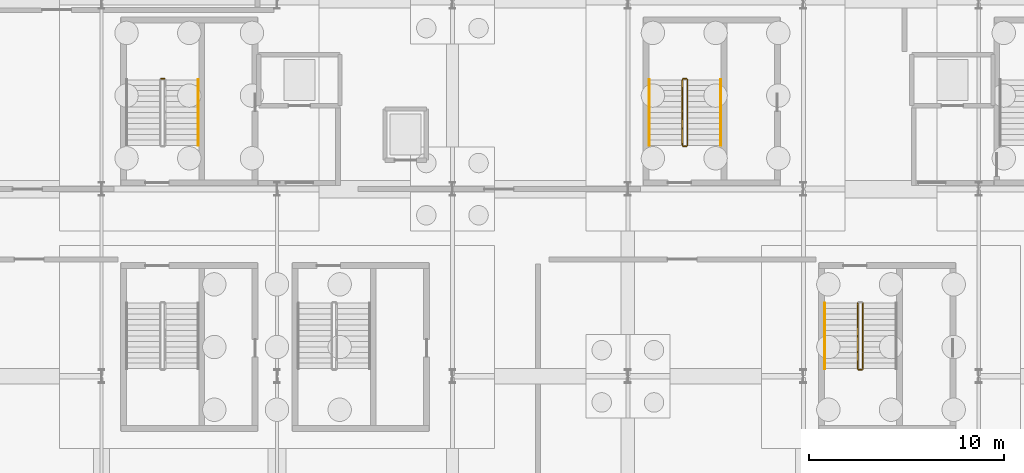
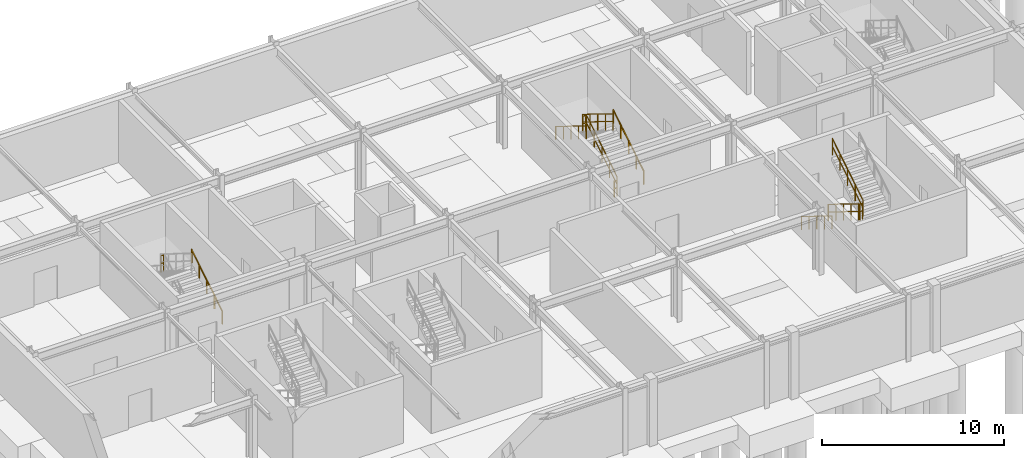
# One storey, part 57 of 59: 12 railings.
"""IFC4 building model written with IfcOpenShell, lengths in metres."""

from ifc_helpers import new_model, si_unit, direction, frame, origin, origin_2d, place, context, subcontext, project, spatial, rectangle, extrude, material, type_object, element, save


model = new_model("IFC4")

# Units and contexts
model_context = context("Model", 3, precision=1e-05, world=origin(), true_north=direction((0.0, 1.0)))
body_context = subcontext(model_context, "Body", "Model", "MODEL_VIEW")
ifc_project = project(units=[si_unit("LENGTHUNIT", "METRE"), si_unit("AREAUNIT", "SQUARE_METRE"), si_unit("VOLUMEUNIT", "CUBIC_METRE"), si_unit("PLANEANGLEUNIT", "RADIAN"), si_unit("MASSUNIT", "GRAM", prefix="KILO")], contexts=[model_context])

# Site, building, storey
site_placement = place(None, origin())
site = spatial("IfcSite", under=ifc_project, at=site_placement, CompositionType="ELEMENT")
building_placement = place(site_placement, origin())
building = spatial("IfcBuilding", under=site, at=building_placement, Name="Myrtia Square Station", CompositionType="ELEMENT")
storey_placement = place(building_placement, frame((0.0, 0.0, -4.5)))
storey = spatial("IfcBuildingStorey", under=building, at=storey_placement, Name="B01", CompositionType="ELEMENT", Elevation=-4.5)

# Railings
ifc_material_1 = material(Name="Dark bronze anodised aluminium", Category="aluminium")
railing_type_1 = type_object("IfcRailingType", Name="RL-HANDRAIL-900", PredefinedType="HANDRAIL", material=ifc_material_1)
for number, where, name in (
    (1, (130.9599609375, 107.85009765625, 0.173095703125), "B01 ST07 stair handrail 1"),
    (2, (157.760009765625, 107.85009765625, 0.173095703125), "B01 ST15 stair handrail 1"),
):
    element("IfcRailing", number, at=place(storey_placement, frame(where)), inside=storey, type_object=railing_type_1, Name=name, PredefinedType="HANDRAIL", context=body_context, shape_type="SweptSolid", body=[
        extrude(rectangle(XDim=0.048095703125, YDim=0.048095703125, at=origin_2d()), frame((0.0, 0.029541015625, 0.89404296875), z_axis=(0.0, 0.850606129759, 0.525803396734), x_axis=(-1.0, 0.0, 0.0)), (0.0, 0.0, 1.0), 0.918212890625),
        extrude(rectangle(XDim=0.048095703125, YDim=0.048095703125, at=origin_2d()), frame((0.0, 0.869384765625, 1.413330078125), z_axis=(0.0, 0.850606129759, 0.525803396734), x_axis=(-1.0, 0.0, 0.0)), (0.0, 0.0, 1.0), 0.918212890625),
        extrude(rectangle(XDim=0.048095703125, YDim=0.048095703125, at=origin_2d()), frame((0.0, 1.70947265625, 1.9326171875), z_axis=(0.0, 0.850606129759, 0.525803396734), x_axis=(-1.0, 0.0, 0.0)), (0.0, 0.0, 1.0), 0.918212890625),
        extrude(rectangle(XDim=0.048095703125, YDim=0.048095703125, at=origin_2d()), frame((0.0, 2.54931640625, 2.45166015625), z_axis=(0.0, 0.850606129759, 0.525803396734), x_axis=(-1.0, 0.0, 0.0)), (0.0, 0.0, 1.0), 0.918212890625),
        extrude(rectangle(XDim=0.0439453125, YDim=0.0439453125, at=origin_2d()), origin(), (0.0, 0.0, 1.0), 0.89990234375),
        extrude(rectangle(XDim=0.0439453125, YDim=0.0439453125, at=origin_2d()), frame((0.0, 0.83984375, 0.519287109375)), (0.0, 0.0, 1.0), 0.89990234375),
        extrude(rectangle(XDim=0.0439453125, YDim=0.0439453125, at=origin_2d()), frame((0.0, 1.679931640625, 1.03857421875)), (0.0, 0.0, 1.0), 0.89990234375),
        extrude(rectangle(XDim=0.0439453125, YDim=0.0439453125, at=origin_2d()), frame((0.0, 2.52001953125, 1.5576171875)), (0.0, 0.0, 1.0), 0.89990234375),
        extrude(rectangle(XDim=0.0439453125, YDim=0.0439453125, at=origin_2d()), frame((0.0, 3.35986328125, 2.076904296875)), (0.0, 0.0, 1.0), 0.89990234375),
    ])
railing_1_placement = place(storey_placement, frame((154.10009765625, 111.2099609375, 2.423095703125)))
element("IfcRailing", 3, at=railing_1_placement, inside=storey, type_object=railing_type_1, Name="B01 ST15 stair handrail 2", PredefinedType="HANDRAIL", context=body_context, shape_type="SweptSolid", body=[
    extrude(rectangle(XDim=0.048095703125, YDim=0.048095703125, at=origin_2d()), frame((0.0, -0.029541015625, 0.89404296875), z_axis=(0.0, -0.850606129759, 0.525803396734), x_axis=(1.0, 0.0, 0.0)), (0.0, 0.0, 1.0), 0.918212890625),
    extrude(rectangle(XDim=0.048095703125, YDim=0.048095703125, at=origin_2d()), frame((0.0, -0.869384765625, 1.413330078125), z_axis=(0.0, -0.850606129759, 0.525803396734), x_axis=(1.0, 0.0, 0.0)), (0.0, 0.0, 1.0), 0.918212890625),
    extrude(rectangle(XDim=0.048095703125, YDim=0.048095703125, at=origin_2d()), frame((0.0, -1.70947265625, 1.9326171875), z_axis=(0.0, -0.850606129759, 0.525803396734), x_axis=(1.0, 0.0, 0.0)), (0.0, 0.0, 1.0), 0.918212890625),
    extrude(rectangle(XDim=0.048095703125, YDim=0.048095703125, at=origin_2d()), frame((0.0, -2.54931640625, 2.45166015625), z_axis=(0.0, -0.850606129759, 0.525803396734), x_axis=(1.0, 0.0, 0.0)), (0.0, 0.0, 1.0), 0.918212890625),
    extrude(rectangle(XDim=0.0439453125, YDim=0.0439453125, at=origin_2d()), origin(), (0.0, 0.0, 1.0), 0.89990234375),
    extrude(rectangle(XDim=0.0439453125, YDim=0.0439453125, at=origin_2d()), frame((0.0, -0.83984375, 0.519287109375)), (0.0, 0.0, 1.0), 0.89990234375),
    extrude(rectangle(XDim=0.0439453125, YDim=0.0439453125, at=origin_2d()), frame((0.0, -1.679931640625, 1.03857421875)), (0.0, 0.0, 1.0), 0.89990234375),
    extrude(rectangle(XDim=0.0439453125, YDim=0.0439453125, at=origin_2d()), frame((0.0, -2.52001953125, 1.5576171875)), (0.0, 0.0, 1.0), 0.89990234375),
    extrude(rectangle(XDim=0.0439453125, YDim=0.0439453125, at=origin_2d()), frame((0.0, -3.35986328125, 2.076904296875)), (0.0, 0.0, 1.0), 0.89990234375),
])
railing_2_placement = place(storey_placement, frame((163.10009765625, 99.75, 0.173095703125)))
element("IfcRailing", 4, at=railing_2_placement, inside=storey, type_object=railing_type_1, Name="B01 ST16 stair handrail 1", PredefinedType="HANDRAIL", context=body_context, shape_type="SweptSolid", body=[
    extrude(rectangle(XDim=0.048095703125, YDim=0.048095703125, at=origin_2d()), frame((0.0, -0.029541015625, 0.89404296875), z_axis=(0.0, -0.850623216509, 0.525775754039), x_axis=(1.0, 0.0, 0.0)), (0.0, 0.0, 1.0), 0.918212890625),
    extrude(rectangle(XDim=0.048095703125, YDim=0.048095703125, at=origin_2d()), frame((0.0, -0.869384765625, 1.413330078125), z_axis=(0.0, -0.850623216509, 0.525775754039), x_axis=(1.0, 0.0, 0.0)), (0.0, 0.0, 1.0), 0.918212890625),
    extrude(rectangle(XDim=0.048095703125, YDim=0.048095703125, at=origin_2d()), frame((0.0, -1.70947265625, 1.9326171875), z_axis=(0.0, -0.850623216509, 0.525775754039), x_axis=(1.0, 0.0, 0.0)), (0.0, 0.0, 1.0), 0.918212890625),
    extrude(rectangle(XDim=0.048095703125, YDim=0.048095703125, at=origin_2d()), frame((0.0, -2.549560546875, 2.45166015625), z_axis=(0.0, -0.850623216509, 0.525775754039), x_axis=(1.0, 0.0, 0.0)), (0.0, 0.0, 1.0), 0.918212890625),
    extrude(rectangle(XDim=0.0439453125, YDim=0.0439453125, at=origin_2d()), origin(), (0.0, 0.0, 1.0), 0.89990234375),
    extrude(rectangle(XDim=0.0439453125, YDim=0.0439453125, at=origin_2d()), frame((0.0, -0.840087890625, 0.519287109375)), (0.0, 0.0, 1.0), 0.89990234375),
    extrude(rectangle(XDim=0.0439453125, YDim=0.0439453125, at=origin_2d()), frame((0.0, -1.68017578125, 1.03857421875)), (0.0, 0.0, 1.0), 0.89990234375),
    extrude(rectangle(XDim=0.0439453125, YDim=0.0439453125, at=origin_2d()), frame((0.0, -2.52001953125, 1.5576171875)), (0.0, 0.0, 1.0), 0.89990234375),
    extrude(rectangle(XDim=0.0439453125, YDim=0.0439453125, at=origin_2d()), frame((0.0, -3.360107421875, 2.076904296875)), (0.0, 0.0, 1.0), 0.89990234375),
])
ifc_material_2 = material(Name="Wrought iron", Category="steel")
railing_type_2 = type_object("IfcRailingType", Name="RL-INT-GUARD-1100", PredefinedType="BALUSTRADE", material=ifc_material_2)
railing_3_placement = place(storey_placement, frame((129.2099609375, 111.260009765625, 2.25)))
element("IfcRailing", 5, at=railing_3_placement, inside=storey, type_object=railing_type_2, Name="B01 ST07 stair guard 2", PredefinedType="BALUSTRADE", context=body_context, shape_type="SweptSolid", body=[
    extrude(rectangle(XDim=0.048095703125, YDim=0.048095703125, at=origin_2d()), frame((-0.03466796875, 0.0, 1.09619140625), z_axis=(-1.0, 0.0, 0.0), x_axis=(0.0, -1.0, 0.0)), (0.0, 0.0, 1.0), 0.090576171875),
    extrude(rectangle(XDim=0.048095703125, YDim=0.048095703125, at=origin_2d()), frame((-0.03466796875, 0.0, 0.58251953125), z_axis=(-1.0, 0.0, 0.0), x_axis=(0.0, -1.0, 0.0)), (0.0, 0.0, 1.0), 0.090576171875),
    extrude(rectangle(XDim=0.0439453125, YDim=0.0439453125, at=origin_2d()), origin(), (0.0, 0.0, 1.0), 1.1201171875),
    extrude(rectangle(XDim=0.0439453125, YDim=0.0439453125, at=origin_2d()), frame((-0.159912109375, 0.0, 0.0)), (0.0, 0.0, 1.0), 1.1201171875),
])
railing_4_placement = place(storey_placement, frame((156.06005859375, 107.85009765625, 0.173095703125)))
element("IfcRailing", 6, at=railing_4_placement, inside=storey, type_object=railing_type_2, Name="B01 ST15 stair guard 1", PredefinedType="BALUSTRADE", context=body_context, shape_type="SweptSolid", body=[
    extrude(rectangle(XDim=0.048095703125, YDim=0.048095703125, at=origin_2d()), frame((0.0, 0.029541015625, 1.1142578125), z_axis=(0.0, 0.850606129759, 0.525803396734), x_axis=(-1.0, 0.0, 0.0)), (0.0, 0.0, 1.0), 0.918212890625),
    extrude(rectangle(XDim=0.048095703125, YDim=0.048095703125, at=origin_2d()), frame((0.0, 0.029541015625, 0.6005859375), z_axis=(0.0, 0.850606129759, 0.525803396734), x_axis=(-1.0, 0.0, 0.0)), (0.0, 0.0, 1.0), 0.918212890625),
    extrude(rectangle(XDim=0.048095703125, YDim=0.048095703125, at=origin_2d()), frame((0.0, 0.869384765625, 1.633544921875), z_axis=(0.0, 0.850606129759, 0.525803396734), x_axis=(-1.0, 0.0, 0.0)), (0.0, 0.0, 1.0), 0.918212890625),
    extrude(rectangle(XDim=0.048095703125, YDim=0.048095703125, at=origin_2d()), frame((0.0, 0.869384765625, 1.119873046875), z_axis=(0.0, 0.850606129759, 0.525803396734), x_axis=(-1.0, 0.0, 0.0)), (0.0, 0.0, 1.0), 0.918212890625),
    extrude(rectangle(XDim=0.048095703125, YDim=0.048095703125, at=origin_2d()), frame((0.0, 1.70947265625, 2.15283203125), z_axis=(0.0, 0.850606129759, 0.525803396734), x_axis=(-1.0, 0.0, 0.0)), (0.0, 0.0, 1.0), 0.918212890625),
    extrude(rectangle(XDim=0.048095703125, YDim=0.048095703125, at=origin_2d()), frame((0.0, 1.70947265625, 1.63916015625), z_axis=(0.0, 0.850606129759, 0.525803396734), x_axis=(-1.0, 0.0, 0.0)), (0.0, 0.0, 1.0), 0.918212890625),
    extrude(rectangle(XDim=0.048095703125, YDim=0.048095703125, at=origin_2d()), frame((0.0, 2.54931640625, 2.671875), z_axis=(0.0, 0.850606129759, 0.525803396734), x_axis=(-1.0, 0.0, 0.0)), (0.0, 0.0, 1.0), 0.918212890625),
    extrude(rectangle(XDim=0.048095703125, YDim=0.048095703125, at=origin_2d()), frame((0.0, 2.54931640625, 2.158447265625), z_axis=(0.0, 0.850606129759, 0.525803396734), x_axis=(-1.0, 0.0, 0.0)), (0.0, 0.0, 1.0), 0.918212890625),
    extrude(rectangle(XDim=0.0439453125, YDim=0.0439453125, at=origin_2d()), origin(), (0.0, 0.0, 1.0), 1.1201171875),
    extrude(rectangle(XDim=0.0439453125, YDim=0.0439453125, at=origin_2d()), frame((0.0, 0.83984375, 0.519287109375)), (0.0, 0.0, 1.0), 1.1201171875),
    extrude(rectangle(XDim=0.0439453125, YDim=0.0439453125, at=origin_2d()), frame((0.0, 1.679931640625, 1.03857421875)), (0.0, 0.0, 1.0), 1.1201171875),
    extrude(rectangle(XDim=0.0439453125, YDim=0.0439453125, at=origin_2d()), frame((0.0, 2.52001953125, 1.5576171875)), (0.0, 0.0, 1.0), 1.1201171875),
    extrude(rectangle(XDim=0.0439453125, YDim=0.0439453125, at=origin_2d()), frame((0.0, 3.35986328125, 2.076904296875)), (0.0, 0.0, 1.0), 1.1201171875),
])
railing_5_placement = place(storey_placement, frame((156.010009765625, 111.260009765625, 2.25)))
element("IfcRailing", 7, at=railing_5_placement, inside=storey, type_object=railing_type_2, Name="B01 ST15 stair guard 2", PredefinedType="BALUSTRADE", context=body_context, shape_type="SweptSolid", body=[
    extrude(rectangle(XDim=0.048095703125, YDim=0.048095703125, at=origin_2d()), frame((-0.03466796875, 0.0, 1.09619140625), z_axis=(-1.0, 0.0, 0.0), x_axis=(0.0, -1.0, 0.0)), (0.0, 0.0, 1.0), 0.090576171875),
    extrude(rectangle(XDim=0.048095703125, YDim=0.048095703125, at=origin_2d()), frame((-0.03466796875, 0.0, 0.58251953125), z_axis=(-1.0, 0.0, 0.0), x_axis=(0.0, -1.0, 0.0)), (0.0, 0.0, 1.0), 0.090576171875),
    extrude(rectangle(XDim=0.0439453125, YDim=0.0439453125, at=origin_2d()), origin(), (0.0, 0.0, 1.0), 1.1201171875),
    extrude(rectangle(XDim=0.0439453125, YDim=0.0439453125, at=origin_2d()), frame((-0.159912109375, 0.0, 0.0)), (0.0, 0.0, 1.0), 1.1201171875),
])
railing_6_placement = place(storey_placement, frame((155.800048828125, 111.2099609375, 2.423095703125)))
element("IfcRailing", 8, at=railing_6_placement, inside=storey, type_object=railing_type_2, Name="B01 ST15 stair guard 3", PredefinedType="BALUSTRADE", context=body_context, shape_type="SweptSolid", body=[
    extrude(rectangle(XDim=0.048095703125, YDim=0.048095703125, at=origin_2d()), frame((0.0, -0.029541015625, 1.1142578125), z_axis=(0.0, -0.850606129759, 0.525803396734), x_axis=(1.0, 0.0, 0.0)), (0.0, 0.0, 1.0), 0.918212890625),
    extrude(rectangle(XDim=0.048095703125, YDim=0.048095703125, at=origin_2d()), frame((0.0, -0.029541015625, 0.6005859375), z_axis=(0.0, -0.850606129759, 0.525803396734), x_axis=(1.0, 0.0, 0.0)), (0.0, 0.0, 1.0), 0.918212890625),
    extrude(rectangle(XDim=0.048095703125, YDim=0.048095703125, at=origin_2d()), frame((0.0, -0.869384765625, 1.633544921875), z_axis=(0.0, -0.850606129759, 0.525803396734), x_axis=(1.0, 0.0, 0.0)), (0.0, 0.0, 1.0), 0.918212890625),
    extrude(rectangle(XDim=0.048095703125, YDim=0.048095703125, at=origin_2d()), frame((0.0, -0.869384765625, 1.119873046875), z_axis=(0.0, -0.850606129759, 0.525803396734), x_axis=(1.0, 0.0, 0.0)), (0.0, 0.0, 1.0), 0.918212890625),
    extrude(rectangle(XDim=0.048095703125, YDim=0.048095703125, at=origin_2d()), frame((0.0, -1.70947265625, 2.15283203125), z_axis=(0.0, -0.850606129759, 0.525803396734), x_axis=(1.0, 0.0, 0.0)), (0.0, 0.0, 1.0), 0.918212890625),
    extrude(rectangle(XDim=0.048095703125, YDim=0.048095703125, at=origin_2d()), frame((0.0, -1.70947265625, 1.63916015625), z_axis=(0.0, -0.850606129759, 0.525803396734), x_axis=(1.0, 0.0, 0.0)), (0.0, 0.0, 1.0), 0.918212890625),
    extrude(rectangle(XDim=0.048095703125, YDim=0.048095703125, at=origin_2d()), frame((0.0, -2.54931640625, 2.671875), z_axis=(0.0, -0.850606129759, 0.525803396734), x_axis=(1.0, 0.0, 0.0)), (0.0, 0.0, 1.0), 0.918212890625),
    extrude(rectangle(XDim=0.048095703125, YDim=0.048095703125, at=origin_2d()), frame((0.0, -2.54931640625, 2.158447265625), z_axis=(0.0, -0.850606129759, 0.525803396734), x_axis=(1.0, 0.0, 0.0)), (0.0, 0.0, 1.0), 0.918212890625),
    extrude(rectangle(XDim=0.0439453125, YDim=0.0439453125, at=origin_2d()), origin(), (0.0, 0.0, 1.0), 1.1201171875),
    extrude(rectangle(XDim=0.0439453125, YDim=0.0439453125, at=origin_2d()), frame((0.0, -0.83984375, 0.519287109375)), (0.0, 0.0, 1.0), 1.1201171875),
    extrude(rectangle(XDim=0.0439453125, YDim=0.0439453125, at=origin_2d()), frame((0.0, -1.679931640625, 1.03857421875)), (0.0, 0.0, 1.0), 1.1201171875),
    extrude(rectangle(XDim=0.0439453125, YDim=0.0439453125, at=origin_2d()), frame((0.0, -2.52001953125, 1.5576171875)), (0.0, 0.0, 1.0), 1.1201171875),
    extrude(rectangle(XDim=0.0439453125, YDim=0.0439453125, at=origin_2d()), frame((0.0, -3.35986328125, 2.076904296875)), (0.0, 0.0, 1.0), 1.1201171875),
])
railing_7_placement = place(storey_placement, frame((156.010009765625, 107.800048828125, 0.0)))
element("IfcRailing", 9, at=railing_7_placement, inside=storey, type_object=railing_type_2, Name="B01 ST15 stair guard 4", PredefinedType="BALUSTRADE", context=body_context, shape_type="SweptSolid", body=[
    extrude(rectangle(XDim=0.048095703125, YDim=0.048095703125, at=origin_2d()), frame((-0.03466796875, 0.0, 1.09619140625), z_axis=(-1.0, 0.0, 0.0), x_axis=(0.0, -1.0, 0.0)), (0.0, 0.0, 1.0), 0.090576171875),
    extrude(rectangle(XDim=0.048095703125, YDim=0.048095703125, at=origin_2d()), frame((-0.03466796875, 0.0, 0.58251953125), z_axis=(-1.0, 0.0, 0.0), x_axis=(0.0, -1.0, 0.0)), (0.0, 0.0, 1.0), 0.090576171875),
    extrude(rectangle(XDim=0.0439453125, YDim=0.0439453125, at=origin_2d()), origin(), (0.0, 0.0, 1.0), 1.1201171875),
    extrude(rectangle(XDim=0.0439453125, YDim=0.0439453125, at=origin_2d()), frame((-0.159912109375, 0.0, 0.0)), (0.0, 0.0, 1.0), 1.1201171875),
])
railing_8_placement = place(storey_placement, frame((164.800048828125, 99.75, 0.173095703125)))
element("IfcRailing", 10, at=railing_8_placement, inside=storey, type_object=railing_type_2, Name="B01 ST16 stair guard 1", PredefinedType="BALUSTRADE", context=body_context, shape_type="SweptSolid", body=[
    extrude(rectangle(XDim=0.048095703125, YDim=0.048095703125, at=origin_2d()), frame((0.0, -0.029541015625, 1.1142578125), z_axis=(0.0, -0.850623216509, 0.525775754039), x_axis=(1.0, 0.0, 0.0)), (0.0, 0.0, 1.0), 0.918212890625),
    extrude(rectangle(XDim=0.048095703125, YDim=0.048095703125, at=origin_2d()), frame((0.0, -0.029541015625, 0.6005859375), z_axis=(0.0, -0.850623216509, 0.525775754039), x_axis=(1.0, 0.0, 0.0)), (0.0, 0.0, 1.0), 0.918212890625),
    extrude(rectangle(XDim=0.048095703125, YDim=0.048095703125, at=origin_2d()), frame((0.0, -0.869384765625, 1.633544921875), z_axis=(0.0, -0.850623216509, 0.525775754039), x_axis=(1.0, 0.0, 0.0)), (0.0, 0.0, 1.0), 0.918212890625),
    extrude(rectangle(XDim=0.048095703125, YDim=0.048095703125, at=origin_2d()), frame((0.0, -0.869384765625, 1.119873046875), z_axis=(0.0, -0.850623216509, 0.525775754039), x_axis=(1.0, 0.0, 0.0)), (0.0, 0.0, 1.0), 0.918212890625),
    extrude(rectangle(XDim=0.048095703125, YDim=0.048095703125, at=origin_2d()), frame((0.0, -1.70947265625, 2.15283203125), z_axis=(0.0, -0.850623216509, 0.525775754039), x_axis=(1.0, 0.0, 0.0)), (0.0, 0.0, 1.0), 0.918212890625),
    extrude(rectangle(XDim=0.048095703125, YDim=0.048095703125, at=origin_2d()), frame((0.0, -1.70947265625, 1.63916015625), z_axis=(0.0, -0.850623216509, 0.525775754039), x_axis=(1.0, 0.0, 0.0)), (0.0, 0.0, 1.0), 0.918212890625),
    extrude(rectangle(XDim=0.048095703125, YDim=0.048095703125, at=origin_2d()), frame((0.0, -2.549560546875, 2.671875), z_axis=(0.0, -0.850623216509, 0.525775754039), x_axis=(1.0, 0.0, 0.0)), (0.0, 0.0, 1.0), 0.918212890625),
    extrude(rectangle(XDim=0.048095703125, YDim=0.048095703125, at=origin_2d()), frame((0.0, -2.549560546875, 2.158447265625), z_axis=(0.0, -0.850623216509, 0.525775754039), x_axis=(1.0, 0.0, 0.0)), (0.0, 0.0, 1.0), 0.918212890625),
    extrude(rectangle(XDim=0.0439453125, YDim=0.0439453125, at=origin_2d()), origin(), (0.0, 0.0, 1.0), 1.1201171875),
    extrude(rectangle(XDim=0.0439453125, YDim=0.0439453125, at=origin_2d()), frame((0.0, -0.840087890625, 0.519287109375)), (0.0, 0.0, 1.0), 1.1201171875),
    extrude(rectangle(XDim=0.0439453125, YDim=0.0439453125, at=origin_2d()), frame((0.0, -1.68017578125, 1.03857421875)), (0.0, 0.0, 1.0), 1.1201171875),
    extrude(rectangle(XDim=0.0439453125, YDim=0.0439453125, at=origin_2d()), frame((0.0, -2.52001953125, 1.5576171875)), (0.0, 0.0, 1.0), 1.1201171875),
    extrude(rectangle(XDim=0.0439453125, YDim=0.0439453125, at=origin_2d()), frame((0.0, -3.360107421875, 2.076904296875)), (0.0, 0.0, 1.0), 1.1201171875),
])
railing_9_placement = place(storey_placement, frame((164.85009765625, 96.340087890625, 2.25)))
element("IfcRailing", 11, at=railing_9_placement, inside=storey, type_object=railing_type_2, Name="B01 ST16 stair guard 2", PredefinedType="BALUSTRADE", context=body_context, shape_type="SweptSolid", body=[
    extrude(rectangle(XDim=0.048095703125, YDim=0.048095703125, at=origin_2d()), frame((0.03466796875, 0.0, 1.09619140625), z_axis=(1.0, 0.0, 0.0), x_axis=(0.0, 1.0, 0.0)), (0.0, 0.0, 1.0), 0.090576171875),
    extrude(rectangle(XDim=0.048095703125, YDim=0.048095703125, at=origin_2d()), frame((0.03466796875, 0.0, 0.58251953125), z_axis=(1.0, 0.0, 0.0), x_axis=(0.0, 1.0, 0.0)), (0.0, 0.0, 1.0), 0.090576171875),
    extrude(rectangle(XDim=0.0439453125, YDim=0.0439453125, at=origin_2d()), origin(), (0.0, 0.0, 1.0), 1.1201171875),
    extrude(rectangle(XDim=0.0439453125, YDim=0.0439453125, at=origin_2d()), frame((0.159912109375, 0.0, 0.0)), (0.0, 0.0, 1.0), 1.1201171875),
])
railing_10_placement = place(storey_placement, frame((165.06005859375, 96.389892578125, 2.423095703125)))
element("IfcRailing", 12, at=railing_10_placement, inside=storey, type_object=railing_type_2, Name="B01 ST16 stair guard 3", PredefinedType="BALUSTRADE", context=body_context, shape_type="SweptSolid", body=[
    extrude(rectangle(XDim=0.048095703125, YDim=0.048095703125, at=origin_2d()), frame((0.0, 0.029541015625, 1.1142578125), z_axis=(0.0, 0.850623216509, 0.525775754039), x_axis=(-1.0, 0.0, 0.0)), (0.0, 0.0, 1.0), 0.918212890625),
    extrude(rectangle(XDim=0.048095703125, YDim=0.048095703125, at=origin_2d()), frame((0.0, 0.029541015625, 0.6005859375), z_axis=(0.0, 0.850623216509, 0.525775754039), x_axis=(-1.0, 0.0, 0.0)), (0.0, 0.0, 1.0), 0.918212890625),
    extrude(rectangle(XDim=0.048095703125, YDim=0.048095703125, at=origin_2d()), frame((0.0, 0.869384765625, 1.633544921875), z_axis=(0.0, 0.850623216509, 0.525775754039), x_axis=(-1.0, 0.0, 0.0)), (0.0, 0.0, 1.0), 0.918212890625),
    extrude(rectangle(XDim=0.048095703125, YDim=0.048095703125, at=origin_2d()), frame((0.0, 0.869384765625, 1.119873046875), z_axis=(0.0, 0.850623216509, 0.525775754039), x_axis=(-1.0, 0.0, 0.0)), (0.0, 0.0, 1.0), 0.918212890625),
    extrude(rectangle(XDim=0.048095703125, YDim=0.048095703125, at=origin_2d()), frame((0.0, 1.70947265625, 2.15283203125), z_axis=(0.0, 0.850623216509, 0.525775754039), x_axis=(-1.0, 0.0, 0.0)), (0.0, 0.0, 1.0), 0.918212890625),
    extrude(rectangle(XDim=0.048095703125, YDim=0.048095703125, at=origin_2d()), frame((0.0, 1.70947265625, 1.63916015625), z_axis=(0.0, 0.850623216509, 0.525775754039), x_axis=(-1.0, 0.0, 0.0)), (0.0, 0.0, 1.0), 0.918212890625),
    extrude(rectangle(XDim=0.048095703125, YDim=0.048095703125, at=origin_2d()), frame((0.0, 2.549560546875, 2.671875), z_axis=(0.0, 0.850623216509, 0.525775754039), x_axis=(-1.0, 0.0, 0.0)), (0.0, 0.0, 1.0), 0.918212890625),
    extrude(rectangle(XDim=0.048095703125, YDim=0.048095703125, at=origin_2d()), frame((0.0, 2.549560546875, 2.158447265625), z_axis=(0.0, 0.850623216509, 0.525775754039), x_axis=(-1.0, 0.0, 0.0)), (0.0, 0.0, 1.0), 0.918212890625),
    extrude(rectangle(XDim=0.0439453125, YDim=0.0439453125, at=origin_2d()), origin(), (0.0, 0.0, 1.0), 1.1201171875),
    extrude(rectangle(XDim=0.0439453125, YDim=0.0439453125, at=origin_2d()), frame((0.0, 0.840087890625, 0.519287109375)), (0.0, 0.0, 1.0), 1.1201171875),
    extrude(rectangle(XDim=0.0439453125, YDim=0.0439453125, at=origin_2d()), frame((0.0, 1.68017578125, 1.03857421875)), (0.0, 0.0, 1.0), 1.1201171875),
    extrude(rectangle(XDim=0.0439453125, YDim=0.0439453125, at=origin_2d()), frame((0.0, 2.52001953125, 1.5576171875)), (0.0, 0.0, 1.0), 1.1201171875),
    extrude(rectangle(XDim=0.0439453125, YDim=0.0439453125, at=origin_2d()), frame((0.0, 3.360107421875, 2.076904296875)), (0.0, 0.0, 1.0), 1.1201171875),
])

save(model, "model.ifc")
